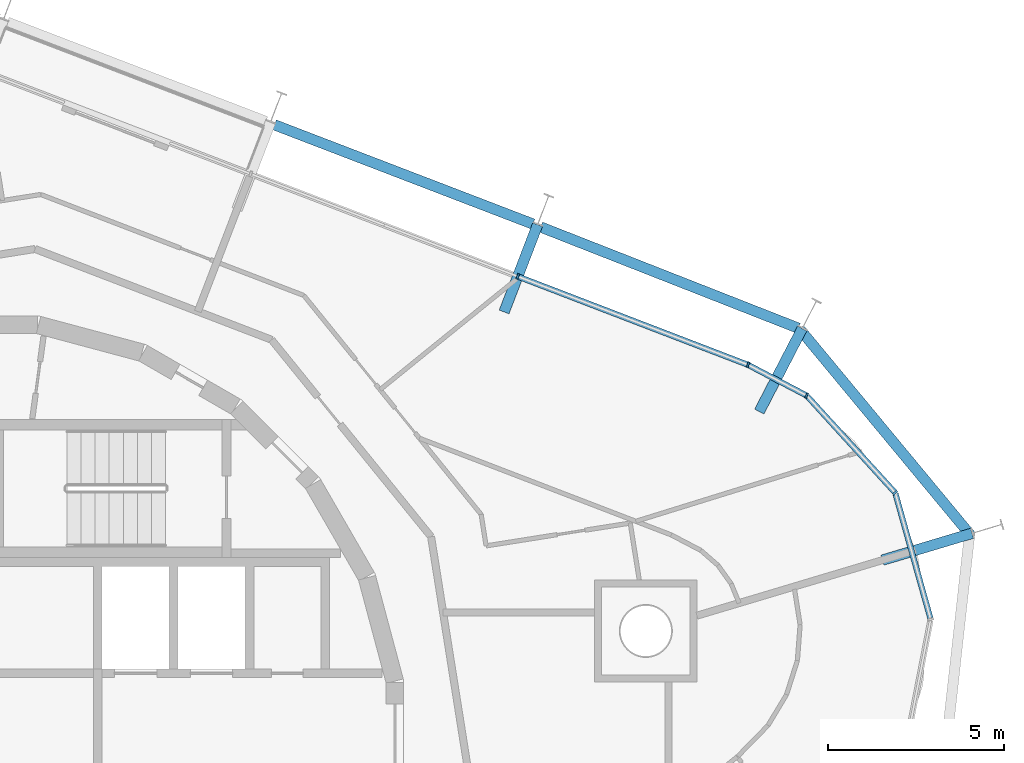
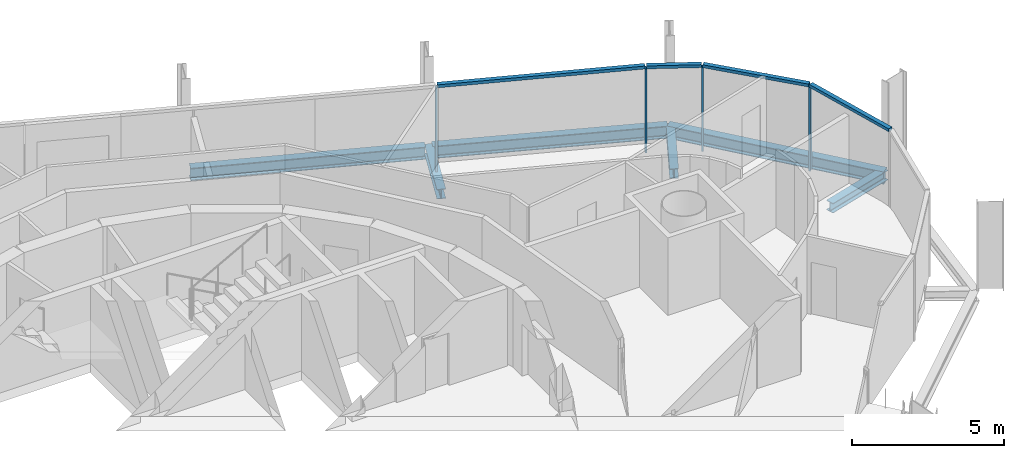
# One storey, part 9 of 17: 8 members, 6 beams, 2 elements without a shape of their own.
"""IFC4 building model written with IfcOpenShell, lengths in metres."""

from ifc_helpers import new_model, si_unit, direction, frame, origin, origin_2d, place, context, subcontext, project, spatial, rectangle, i_section, extrude, material, layer, layer_set, material_profile, profile_set, type_object, element, aggregate, save


model = new_model("IFC4")

# Units and contexts
model_context = context("Model", 3, precision=1e-05, world=origin(), true_north=direction((0.0, 1.0)))
body_context = subcontext(model_context, "Body", "Model", "MODEL_VIEW")
ifc_project = project(units=[si_unit("LENGTHUNIT", "METRE"), si_unit("AREAUNIT", "SQUARE_METRE"), si_unit("VOLUMEUNIT", "CUBIC_METRE"), si_unit("PLANEANGLEUNIT", "RADIAN"), si_unit("MASSUNIT", "GRAM", prefix="KILO")], contexts=[model_context])

# Site, building, storey
site_placement = place(None, origin())
site = spatial("IfcSite", under=ifc_project, at=site_placement, CompositionType="ELEMENT")
building_placement = place(site_placement, origin())
building = spatial("IfcBuilding", under=site, at=building_placement, Name="Spindle Arch Residences", CompositionType="ELEMENT")
storey_placement = place(building_placement, frame((0.0, 0.0, 284.39990234375)))
storey = spatial("IfcBuildingStorey", under=building, at=storey_placement, Name="L73", CompositionType="ELEMENT", Elevation=284.39990234375)

# Curtain wall, members
ifc_material_1 = material(Name="Aluminium bronze unitised frame with tinted glass", Category="aluminium")
ifc_layer_1 = layer(ifc_material_1, 0.159912109375)
ifc_layer_set_1 = layer_set([ifc_layer_1], Name="CW-D corner wall on the fillet arcs")
curtain_wall_type_1 = type_object("IfcCurtainWallType", Name="CW-D corner wall on the fillet arcs", PredefinedType="NOTDEFINED", material=ifc_layer_set_1)
curtain_wall_1_placement = place(storey_placement, origin())
curtain_wall_1 = element("IfcCurtainWall", 1, at=curtain_wall_1_placement, inside=storey, type_object=curtain_wall_type_1, Name="CW-D L73 run 1", PredefinedType="NOTDEFINED")
ifc_material_2 = material(Name="Aluminium bronze anodised mullion", Category="aluminium")
ifc_material_profile_1 = material_profile(ifc_material_2, rectangle(XDim=0.159912109375, YDim=0.06005859375, at=origin_2d()), Name="MU 60x160")
ifc_profile_set_1 = profile_set([ifc_material_profile_1], Name="Aluminium bronze anodised mullion")
member_type_1 = type_object("IfcMemberType", Name="Bronze mullion 60x160", PredefinedType="MULLION", material=ifc_profile_set_1)
member_1_placement = place(storey_placement, frame((25.826171875, 6.888427734375, -0.3798828125), z_axis=(0.0, 0.0, 1.0), x_axis=(-0.73923942464, -0.673442702134, 0.0)))
member_1 = element("IfcMember", 2, at=member_1_placement, type_object=member_type_1, Name="CW-D mullion 04", PredefinedType="MULLION", context=body_context, shape_type="SweptSolid", body=[
    extrude(rectangle(XDim=0.159912109375, YDim=0.06005859375, at=origin_2d()), origin(), (0.0, 0.0, 1.0), 3.3798828125),
])
member_2_placement = place(storey_placement, frame((23.316650390625, 9.643310546875, -0.3798828125), z_axis=(0.0, 0.0, 1.0), x_axis=(-0.464326860783, -0.885663912754, 0.0)))
member_2 = element("IfcMember", 3, at=member_2_placement, type_object=member_type_1, Name="CW-D mullion 05", PredefinedType="MULLION", context=body_context, shape_type="SweptSolid", body=[
    extrude(rectangle(XDim=0.159912109375, YDim=0.06005859375, at=origin_2d()), origin(), (0.0, 0.0, 1.0), 3.3798828125),
])
member_3_placement = place(storey_placement, frame((21.655029296875, 10.514404296875, -0.3798828125), z_axis=(0.0, 0.0, 1.0), x_axis=(-0.358367949545, -0.933580426497, 0.0)))
member_3 = element("IfcMember", 4, at=member_3_placement, type_object=member_type_1, Name="CW-D mullion 06", PredefinedType="MULLION", context=body_context, shape_type="SweptSolid", body=[
    extrude(rectangle(XDim=0.159912109375, YDim=0.06005859375, at=origin_2d()), origin(), (0.0, 0.0, 1.0), 3.3798828125),
])

# Curtain wall, member
ifc_material_3 = material(Name="Aluminium bronze unitised frame with tinted glass", Category="aluminium")
ifc_layer_2 = layer(ifc_material_3, 0.159912109375)
ifc_layer_set_2 = layer_set([ifc_layer_2], Name="CW-C typical residential unitised wall")
curtain_wall_type_2 = type_object("IfcCurtainWallType", Name="CW-C typical residential unitised wall", PredefinedType="NOTDEFINED", material=ifc_layer_set_2)
curtain_wall_2_placement = place(storey_placement, origin())
curtain_wall_2 = element("IfcCurtainWall", 5, at=curtain_wall_2_placement, inside=storey, type_object=curtain_wall_type_2, Name="CW-C L73 run 2", PredefinedType="NOTDEFINED")
member_4_placement = place(storey_placement, frame((15.12939453125, 13.01953125, -0.3798828125), z_axis=(0.0, 0.0, 1.0), x_axis=(-0.358367949545, -0.933580426497, 0.0)))
member_4 = element("IfcMember", 6, at=member_4_placement, type_object=member_type_1, Name="CW-C mullion 05", PredefinedType="MULLION", context=body_context, shape_type="SweptSolid", body=[
    extrude(rectangle(XDim=0.159912109375, YDim=0.06005859375, at=origin_2d()), origin(), (0.0, 0.0, 1.0), 3.3798828125),
])
aggregate(curtain_wall_2, [member_4])

# Member
ifc_material_4 = material(Name="Aluminium bronze anodised transom", Category="aluminium")
ifc_material_profile_2 = material_profile(ifc_material_4, rectangle(XDim=0.159912109375, YDim=0.1201171875, at=origin_2d()), Name="TR 120x160")
ifc_profile_set_2 = profile_set([ifc_material_profile_2], Name="Aluminium bronze anodised transom")
member_type_2 = type_object("IfcMemberType", Name="Bronze transom 120x160", PredefinedType="USERDEFINED", material=ifc_profile_set_2)
member_5_placement = place(storey_placement, frame((26.824462890625, 3.3291015625, 3.06005859375), z_axis=(-0.26999542292, 0.962861605633, 0.0), x_axis=(-0.962861605633, -0.26999542292, 0.0)))
member_5 = element("IfcMember", 7, at=member_5_placement, type_object=member_type_2, Name="CW-D transom 03", ObjectType="TRANSOM", PredefinedType="USERDEFINED", context=body_context, shape_type="SweptSolid", body=[
    extrude(rectangle(XDim=0.159912109375, YDim=0.1201171875, at=origin_2d()), origin(), (0.0, 0.0, 1.0), 3.666748046875),
])

member_6_placement = place(storey_placement, frame((25.80615234375, 6.91064453125, 3.06005859375), z_axis=(-0.673451190177, 0.739231691995, 0.0), x_axis=(-0.739231691995, -0.673451190177, 0.0)))
member_6 = element("IfcMember", 8, at=member_6_placement, type_object=member_type_2, Name="CW-D transom 04", ObjectType="TRANSOM", PredefinedType="USERDEFINED", context=body_context, shape_type="SweptSolid", body=[
    extrude(rectangle(XDim=0.159912109375, YDim=0.1201171875, at=origin_2d()), origin(), (0.0, 0.0, 1.0), 3.6669921875),
])

member_7_placement = place(storey_placement, frame((23.2900390625, 9.6572265625, 3.06005859375), z_axis=(-0.885657808089, 0.464338504726, 0.0), x_axis=(-0.464338504726, -0.885657808089, 0.0)))
member_7 = element("IfcMember", 9, at=member_7_placement, type_object=member_type_2, Name="CW-D transom 05", ObjectType="TRANSOM", PredefinedType="USERDEFINED", context=body_context, shape_type="SweptSolid", body=[
    extrude(rectangle(XDim=0.159912109375, YDim=0.1201171875, at=origin_2d()), origin(), (0.0, 0.0, 1.0), 1.816162109375),
])

member_8_placement = place(storey_placement, frame((21.626953125, 10.525390625, 3.06005859375), z_axis=(-0.933580580487, 0.358367548387, 0.0), x_axis=(-0.358367548387, -0.933580580487, 0.0)))
member_8 = element("IfcMember", 10, at=member_8_placement, type_object=member_type_2, Name="CW-D transom 06", ObjectType="TRANSOM", PredefinedType="USERDEFINED", context=body_context, shape_type="SweptSolid", body=[
    extrude(rectangle(XDim=0.159912109375, YDim=0.1201171875, at=origin_2d()), origin(), (0.0, 0.0, 1.0), 6.9296875),
])

aggregate(curtain_wall_1, [member_5, member_1, member_6, member_2, member_7, member_3, member_8])

# Beams
ifc_material_5 = material(Name="Steel S460ML, intumescent coating R 120", Category="steel")
ifc_material_profile_3 = material_profile(ifc_material_5, i_section(OverallWidth=0.300048828125, OverallDepth=0.5, WebThickness=0.014404296875, FlangeThickness=0.028076171875, FilletRadius=0.027099609375, at=origin_2d()), Name="HEB 500")
ifc_profile_set_3 = profile_set([ifc_material_profile_3], Name="Steel S460ML, intumescent coating R 120")
beam_type_1 = type_object("IfcBeamType", Name="Exoskeleton edge beam HEB 500", PredefinedType="BEAM", material=ifc_profile_set_3)
beam_1_placement = place(storey_placement, frame((27.982666015625, 5.661376953125, -0.6298828125), z_axis=(-0.638234616569, 0.769841915079, 0.0), x_axis=(-0.769841915079, -0.638234616569, 0.0)))
element("IfcBeam", 11, at=beam_1_placement, inside=storey, type_object=beam_type_1, Name="Exoskeleton edge beam 4", PredefinedType="BEAM", context=body_context, shape_type="SweptSolid", body=[
    extrude(i_section(OverallWidth=0.300048828125, OverallDepth=0.5, WebThickness=0.014404296875, FlangeThickness=0.028076171875, FilletRadius=0.027099609375, at=origin_2d()), origin(), (0.0, 0.0, 1.0), 7.6318359375),
])
beam_2_placement = place(storey_placement, frame((23.080810546875, 11.552490234375, -0.6298828125), z_axis=(-0.930820691929, 0.365476181818, 0.0), x_axis=(-0.365476181818, -0.930820691929, 0.0)))
element("IfcBeam", 12, at=beam_2_placement, inside=storey, type_object=beam_type_1, Name="Exoskeleton edge beam 5", PredefinedType="BEAM", context=body_context, shape_type="SweptSolid", body=[
    extrude(i_section(OverallWidth=0.300048828125, OverallDepth=0.5, WebThickness=0.014404296875, FlangeThickness=0.028076171875, FilletRadius=0.027099609375, at=origin_2d()), origin(), (0.0, 0.0, 1.0), 7.845703125),
])
beam_3_placement = place(storey_placement, frame((15.56005859375, 14.50390625, -0.6298828125), z_axis=(-0.933584338194, 0.358357759061, 0.0), x_axis=(-0.358357759061, -0.933584338194, 0.0)))
element("IfcBeam", 13, at=beam_3_placement, inside=storey, type_object=beam_type_1, Name="Exoskeleton edge beam 6", PredefinedType="BEAM", context=body_context, shape_type="SweptSolid", body=[
    extrude(i_section(OverallWidth=0.300048828125, OverallDepth=0.5, WebThickness=0.014404296875, FlangeThickness=0.028076171875, FilletRadius=0.027099609375, at=origin_2d()), origin(), (0.0, 0.0, 1.0), 7.84765625),
])
ifc_material_6 = material(Name="Steel S460ML, intumescent coating R 120", Category="steel")
ifc_material_profile_4 = material_profile(ifc_material_6, i_section(OverallWidth=0.300048828125, OverallDepth=0.389892578125, WebThickness=0.010986328125, FlangeThickness=0.01904296875, FilletRadius=0.027099609375, at=origin_2d()), Name="HEA 400")
ifc_profile_set_4 = profile_set([ifc_material_profile_4], Name="Steel S460ML, intumescent coating R 120")
beam_type_2 = type_object("IfcBeamType", Name="Floor outrigger HEA 400", PredefinedType="BEAM", material=ifc_profile_set_4)
for number, where, z_axis, x_axis, name in (
    (14, (28.00390625, 5.738525390625, -0.574951171875), (-0.958013730909, -0.286722324542, 0.0), (0.286722324542, -0.958013730909, 0.0), "Floor outrigger 4"),
    (15, (23.19140625, 11.543212890625, -0.574951171875), (-0.459260001196, -0.888301891983, 0.0), (0.888301891983, -0.459260001196, 0.0), "Floor outrigger 5"),
    (16, (15.692138671875, 14.485107421875, -0.574951171875), (-0.358392499624, -0.933571002234, 0.0), (0.933571002234, -0.358392499624, 0.0), "Floor outrigger 6"),
):
    element("IfcBeam", number, at=place(storey_placement, frame(where, z_axis=z_axis, x_axis=x_axis)), inside=storey, type_object=beam_type_2, Name=name, PredefinedType="BEAM", context=body_context, shape_type="SweptSolid", body=[
        extrude(i_section(OverallWidth=0.300048828125, OverallDepth=0.389892578125, WebThickness=0.010986328125, FlangeThickness=0.01904296875, FilletRadius=0.027099609375, at=origin_2d()), origin(), (0.0, 0.0, 1.0), 2.64990234375),
    ])

save(model, "model.ifc")
